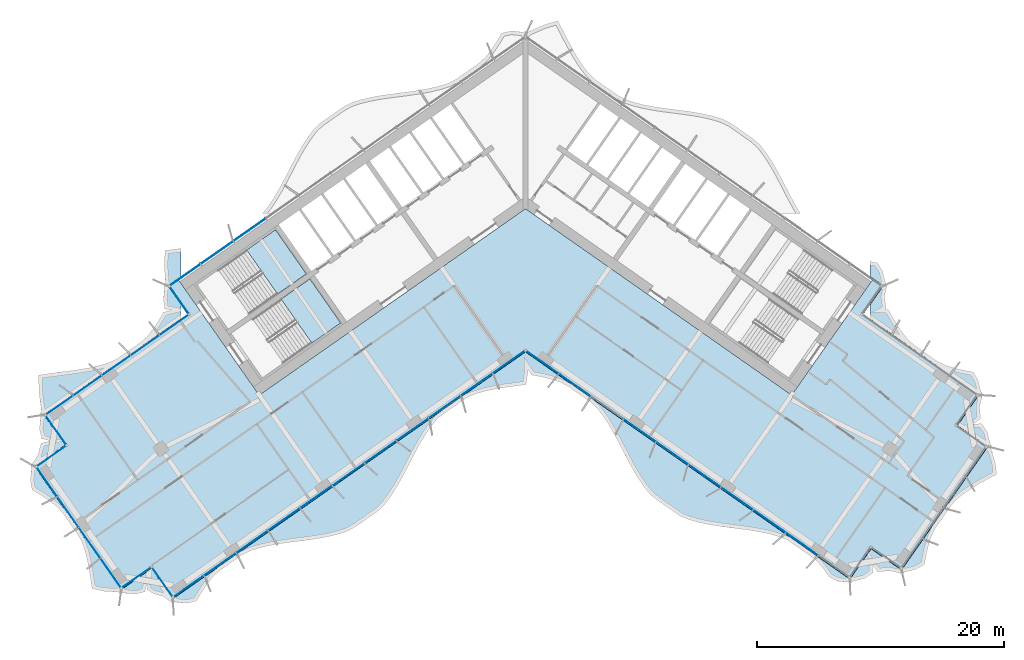
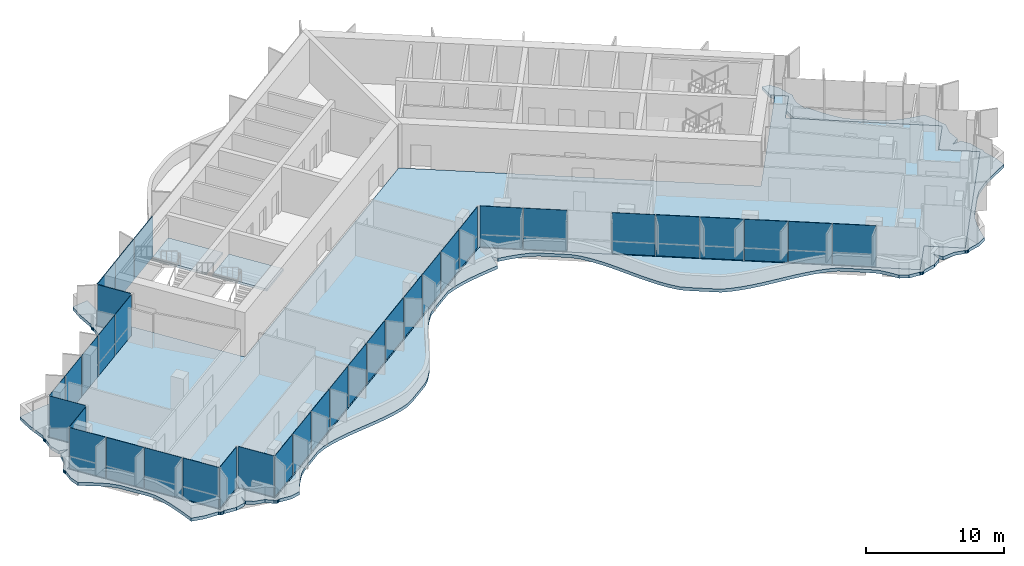
# One storey, part 10 of 21: 36 plates, 4 slabs, 4 elements without a shape of their own.
"""IFC4 building model written with IfcOpenShell, lengths in metres."""

from ifc_helpers import new_model, si_unit, direction, frame, origin, origin_2d, place, context, subcontext, project, spatial, polyline, rectangle, outline, extrude, material, layer, layer_set, type_object, element, aggregate, save


model = new_model("IFC4")

# Units and contexts
model_context = context("Model", 3, precision=1e-05, world=origin(), true_north=direction((0.0, 1.0)))
body_context = subcontext(model_context, "Body", "Model", "MODEL_VIEW")
ifc_project = project(units=[si_unit("LENGTHUNIT", "METRE"), si_unit("AREAUNIT", "SQUARE_METRE"), si_unit("VOLUMEUNIT", "CUBIC_METRE"), si_unit("PLANEANGLEUNIT", "RADIAN"), si_unit("MASSUNIT", "GRAM", prefix="KILO")], contexts=[model_context])

# Site, building, storey
site_placement = place(None, origin())
site = spatial("IfcSite", under=ifc_project, at=site_placement, CompositionType="ELEMENT")
building_placement = place(site_placement, origin())
building = spatial("IfcBuilding", under=site, at=building_placement, Name="Tel Ilan Convention Tower", CompositionType="ELEMENT")
storey_placement = place(building_placement, frame((0.0, 0.0, 147.60009765625)))
storey = spatial("IfcBuildingStorey", under=building, at=storey_placement, Name="L33", CompositionType="ELEMENT", Elevation=147.60009765625)

# Curtain wall, plates
ifc_material_1 = material(Name="Aluminium, bronze anodised", Category="aluminium")
curtain_wall_type_1 = type_object("IfcCurtainWallType", Name="CW4 STICK CURTAIN WALL, OFFICE TINTED GLASS", PredefinedType="NOTDEFINED", material=ifc_material_1)
curtain_wall_1_placement = place(storey_placement, origin())
curtain_wall_1 = element("IfcCurtainWall", 1, at=curtain_wall_1_placement, inside=storey, type_object=curtain_wall_type_1, Name="Curtain wall CW4-27.02", PredefinedType="NOTDEFINED")
ifc_material_2 = material(Name="Glass, bronze tinted, two-ply", Category="glass")
ifc_layer_1 = layer(ifc_material_2, 0.028076171875)
ifc_layer_set_1 = layer_set([ifc_layer_1], Name="CW GLASS PANEL 28")
plate_type_1 = type_object("IfcPlateType", Name="CW GLASS PANEL 28", PredefinedType="CURTAIN_PANEL", material=ifc_layer_set_1)
plate_1_placement = place(storey_placement, frame((-28.44677734375, -10.640625, -0.000244140625), z_axis=(0.0, 0.0, 1.0), x_axis=(-0.819152044289, -0.573576436351, 0.0)))
plate_1 = element("IfcPlate", 2, at=plate_1_placement, type_object=plate_type_1, Name="Glass panel", PredefinedType="CURTAIN_PANEL", context=body_context, shape_type="SweptSolid", body=[
    extrude(rectangle(XDim=2.80908203125, YDim=0.028076171875, at=origin_2d()), origin(), (0.0, 0.0, 1.0), 3.6201171875),
])
plate_2_placement = place(storey_placement, frame((-30.784912109375, -12.278076171875, -0.000244140625), z_axis=(0.0, 0.0, 1.0), x_axis=(-0.819152044289, -0.573576436351, 0.0)))
plate_2 = element("IfcPlate", 3, at=plate_2_placement, type_object=plate_type_1, Name="Glass panel", PredefinedType="CURTAIN_PANEL", context=body_context, shape_type="SweptSolid", body=[
    extrude(rectangle(XDim=2.780029296875, YDim=0.028076171875, at=origin_2d()), origin(), (0.0, 0.0, 1.0), 3.6201171875),
])
plate_3_placement = place(storey_placement, frame((-33.111328125, -13.906982421875, -0.000244140625), z_axis=(0.0, 0.0, 1.0), x_axis=(-0.819152044289, -0.573576436351, 0.0)))
plate_3 = element("IfcPlate", 4, at=plate_3_placement, type_object=plate_type_1, Name="Glass panel", PredefinedType="CURTAIN_PANEL", context=body_context, shape_type="SweptSolid", body=[
    extrude(rectangle(XDim=2.780029296875, YDim=0.028076171875, at=origin_2d()), origin(), (0.0, 0.0, 1.0), 3.6201171875),
])
plate_4_placement = place(storey_placement, frame((-35.437744140625, -15.535888671875, -0.000244140625), z_axis=(0.0, 0.0, 1.0), x_axis=(-0.819152044289, -0.573576436351, 0.0)))
plate_4 = element("IfcPlate", 5, at=plate_4_placement, type_object=plate_type_1, Name="Glass panel", PredefinedType="CURTAIN_PANEL", context=body_context, shape_type="SweptSolid", body=[
    extrude(rectangle(XDim=2.780029296875, YDim=0.028076171875, at=origin_2d()), origin(), (0.0, 0.0, 1.0), 3.6201171875),
])
plate_5_placement = place(storey_placement, frame((-37.7255859375, -17.137939453125, -0.000244140625), z_axis=(0.0, 0.0, 1.0), x_axis=(-0.819152044289, -0.573576436351, 0.0)))
plate_5 = element("IfcPlate", 6, at=plate_5_placement, type_object=plate_type_1, Name="Glass panel", PredefinedType="CURTAIN_PANEL", context=body_context, shape_type="SweptSolid", body=[
    extrude(rectangle(XDim=2.68603515625, YDim=0.028076171875, at=origin_2d()), origin(), (0.0, 0.0, 1.0), 3.6201171875),
])
plate_6_placement = place(storey_placement, frame((-38.007080078125, -19.119140625, -0.000244140625), z_axis=(0.0, 0.0, 1.0), x_axis=(0.573576436351, -0.819152044289, 0.0)))
plate_6 = element("IfcPlate", 7, at=plate_6_placement, type_object=plate_type_1, Name="Glass panel", PredefinedType="CURTAIN_PANEL", context=body_context, shape_type="SweptSolid", body=[
    extrude(rectangle(XDim=2.875, YDim=0.028076171875, at=origin_2d()), origin(), (0.0, 0.0, 1.0), 3.6201171875),
])
plate_7_placement = place(storey_placement, frame((-38.385009765625, -21.261962890625, -0.000244140625), z_axis=(0.0, 0.0, 1.0), x_axis=(-0.819152044289, -0.573576436351, 0.0)))
plate_7 = element("IfcPlate", 8, at=plate_7_placement, type_object=plate_type_1, Name="Glass panel", PredefinedType="CURTAIN_PANEL", context=body_context, shape_type="SweptSolid", body=[
    extrude(rectangle(XDim=2.875, YDim=0.028076171875, at=origin_2d()), origin(), (0.0, 0.0, 1.0), 3.6201171875),
])
plate_8_placement = place(storey_placement, frame((-38.73779296875, -23.305908203125, -0.000244140625), z_axis=(0.0, 0.0, 1.0), x_axis=(0.573576436351, -0.819152044289, 0.0)))
plate_8 = element("IfcPlate", 9, at=plate_8_placement, type_object=plate_type_1, Name="Glass panel", PredefinedType="CURTAIN_PANEL", context=body_context, shape_type="SweptSolid", body=[
    extrude(rectangle(XDim=2.89599609375, YDim=0.028076171875, at=origin_2d()), origin(), (0.0, 0.0, 1.0), 3.6201171875),
])
plate_9_placement = place(storey_placement, frame((-37.015380859375, -25.765869140625, -0.000244140625), z_axis=(0.0, 0.0, 1.0), x_axis=(0.573576436351, -0.819152044289, 0.0)))
plate_9 = element("IfcPlate", 10, at=plate_9_placement, type_object=plate_type_1, Name="Glass panel", PredefinedType="CURTAIN_PANEL", context=body_context, shape_type="SweptSolid", body=[
    extrude(rectangle(XDim=2.989990234375, YDim=0.028076171875, at=origin_2d()), origin(), (0.0, 0.0, 1.0), 3.6201171875),
])
plate_10_placement = place(storey_placement, frame((-35.26611328125, -28.264404296875, -0.000244140625), z_axis=(0.0, 0.0, 1.0), x_axis=(0.573576436351, -0.819152044289, 0.0)))
plate_10 = element("IfcPlate", 11, at=plate_10_placement, type_object=plate_type_1, Name="Glass panel", PredefinedType="CURTAIN_PANEL", context=body_context, shape_type="SweptSolid", body=[
    extrude(rectangle(XDim=2.989990234375, YDim=0.028076171875, at=origin_2d()), origin(), (0.0, 0.0, 1.0), 3.6201171875),
])
plate_11_placement = place(storey_placement, frame((-33.543701171875, -30.72412109375, -0.000244140625), z_axis=(0.0, 0.0, 1.0), x_axis=(0.573576436351, -0.819152044289, 0.0)))
plate_11 = element("IfcPlate", 12, at=plate_11_placement, type_object=plate_type_1, Name="Glass panel", PredefinedType="CURTAIN_PANEL", context=body_context, shape_type="SweptSolid", body=[
    extrude(rectangle(XDim=2.89599609375, YDim=0.028076171875, at=origin_2d()), origin(), (0.0, 0.0, 1.0), 3.6201171875),
])
plate_12_placement = place(storey_placement, frame((-31.502197265625, -31.091796875, -0.000244140625), z_axis=(0.0, 0.0, 1.0), x_axis=(0.819152044289, 0.573576436351, 0.0)))
plate_12 = element("IfcPlate", 13, at=plate_12_placement, type_object=plate_type_1, Name="Glass panel", PredefinedType="CURTAIN_PANEL", context=body_context, shape_type="SweptSolid", body=[
    extrude(rectangle(XDim=2.875, YDim=0.028076171875, at=origin_2d()), origin(), (0.0, 0.0, 1.0), 3.6201171875),
])
plate_13_placement = place(storey_placement, frame((-29.359375, -31.469482421875, -0.000244140625), z_axis=(0.0, 0.0, 1.0), x_axis=(0.573576436351, -0.819152044289, 0.0)))
plate_13 = element("IfcPlate", 14, at=plate_13_placement, type_object=plate_type_1, Name="Glass panel", PredefinedType="CURTAIN_PANEL", context=body_context, shape_type="SweptSolid", body=[
    extrude(rectangle(XDim=2.875, YDim=0.028076171875, at=origin_2d()), origin(), (0.0, 0.0, 1.0), 3.6201171875),
])
plate_14_placement = place(storey_placement, frame((-27.26708984375, -31.78857421875, -0.000244140625), z_axis=(0.0, 0.0, 1.0), x_axis=(0.819152044289, 0.573576436351, 0.0)))
plate_14 = element("IfcPlate", 15, at=plate_14_placement, type_object=plate_type_1, Name="Glass panel", PredefinedType="CURTAIN_PANEL", context=body_context, shape_type="SweptSolid", body=[
    extrude(rectangle(XDim=3.013916015625, YDim=0.028076171875, at=origin_2d()), origin(), (0.0, 0.0, 1.0), 3.6201171875),
])
plate_15_placement = place(storey_placement, frame((-24.71044921875, -29.99853515625, -0.000244140625), z_axis=(0.0, 0.0, 1.0), x_axis=(0.819152044289, 0.573576436351, 0.0)))
plate_15 = element("IfcPlate", 16, at=plate_15_placement, type_object=plate_type_1, Name="Glass panel", PredefinedType="CURTAIN_PANEL", context=body_context, shape_type="SweptSolid", body=[
    extrude(rectangle(XDim=3.10791015625, YDim=0.028076171875, at=origin_2d()), origin(), (0.0, 0.0, 1.0), 3.6201171875),
])
plate_16_placement = place(storey_placement, frame((-22.115478515625, -28.181396484375, -0.000244140625), z_axis=(0.0, 0.0, 1.0), x_axis=(0.819152044289, 0.573576436351, 0.0)))
plate_16 = element("IfcPlate", 17, at=plate_16_placement, type_object=plate_type_1, Name="Glass panel", PredefinedType="CURTAIN_PANEL", context=body_context, shape_type="SweptSolid", body=[
    extrude(rectangle(XDim=3.10791015625, YDim=0.028076171875, at=origin_2d()), origin(), (0.0, 0.0, 1.0), 3.6201171875),
])
plate_17_placement = place(storey_placement, frame((-19.520263671875, -26.3642578125, -0.000244140625), z_axis=(0.0, 0.0, 1.0), x_axis=(0.819152044289, 0.573576436351, 0.0)))
plate_17 = element("IfcPlate", 18, at=plate_17_placement, type_object=plate_type_1, Name="Glass panel", PredefinedType="CURTAIN_PANEL", context=body_context, shape_type="SweptSolid", body=[
    extrude(rectangle(XDim=3.10791015625, YDim=0.028076171875, at=origin_2d()), origin(), (0.0, 0.0, 1.0), 3.6201171875),
])
plate_18_placement = place(storey_placement, frame((-16.92529296875, -24.54736328125, -0.000244140625), z_axis=(0.0, 0.0, 1.0), x_axis=(0.819152044289, 0.573576436351, 0.0)))
plate_18 = element("IfcPlate", 19, at=plate_18_placement, type_object=plate_type_1, Name="Glass panel", PredefinedType="CURTAIN_PANEL", context=body_context, shape_type="SweptSolid", body=[
    extrude(rectangle(XDim=3.10791015625, YDim=0.028076171875, at=origin_2d()), origin(), (0.0, 0.0, 1.0), 3.6201171875),
])
plate_19_placement = place(storey_placement, frame((-14.330078125, -22.730224609375, -0.000244140625), z_axis=(0.0, 0.0, 1.0), x_axis=(0.819152044289, 0.573576436351, 0.0)))
plate_19 = element("IfcPlate", 20, at=plate_19_placement, type_object=plate_type_1, Name="Glass panel", PredefinedType="CURTAIN_PANEL", context=body_context, shape_type="SweptSolid", body=[
    extrude(rectangle(XDim=3.10791015625, YDim=0.028076171875, at=origin_2d()), origin(), (0.0, 0.0, 1.0), 3.6201171875),
])
plate_20_placement = place(storey_placement, frame((-11.735107421875, -20.9130859375, -0.000244140625), z_axis=(0.0, 0.0, 1.0), x_axis=(0.819152044289, 0.573576436351, 0.0)))
plate_20 = element("IfcPlate", 21, at=plate_20_placement, type_object=plate_type_1, Name="Glass panel", PredefinedType="CURTAIN_PANEL", context=body_context, shape_type="SweptSolid", body=[
    extrude(rectangle(XDim=3.10791015625, YDim=0.028076171875, at=origin_2d()), origin(), (0.0, 0.0, 1.0), 3.6201171875),
])
plate_21_placement = place(storey_placement, frame((-9.14013671875, -19.095947265625, -0.000244140625), z_axis=(0.0, 0.0, 1.0), x_axis=(0.819152044289, 0.573576436351, 0.0)))
plate_21 = element("IfcPlate", 22, at=plate_21_placement, type_object=plate_type_1, Name="Glass panel", PredefinedType="CURTAIN_PANEL", context=body_context, shape_type="SweptSolid", body=[
    extrude(rectangle(XDim=3.10791015625, YDim=0.028076171875, at=origin_2d()), origin(), (0.0, 0.0, 1.0), 3.6201171875),
])
plate_22_placement = place(storey_placement, frame((-6.544921875, -17.27880859375, -0.000244140625), z_axis=(0.0, 0.0, 1.0), x_axis=(0.819152044289, 0.573576436351, 0.0)))
plate_22 = element("IfcPlate", 23, at=plate_22_placement, type_object=plate_type_1, Name="Glass panel", PredefinedType="CURTAIN_PANEL", context=body_context, shape_type="SweptSolid", body=[
    extrude(rectangle(XDim=3.10791015625, YDim=0.028076171875, at=origin_2d()), origin(), (0.0, 0.0, 1.0), 3.6201171875),
])
plate_23_placement = place(storey_placement, frame((-3.949951171875, -15.4619140625, -0.000244140625), z_axis=(0.0, 0.0, 1.0), x_axis=(0.819152044289, 0.573576436351, 0.0)))
plate_23 = element("IfcPlate", 24, at=plate_23_placement, type_object=plate_type_1, Name="Glass panel", PredefinedType="CURTAIN_PANEL", context=body_context, shape_type="SweptSolid", body=[
    extrude(rectangle(XDim=3.10791015625, YDim=0.028076171875, at=origin_2d()), origin(), (0.0, 0.0, 1.0), 3.6201171875),
])
plate_24_placement = place(storey_placement, frame((-1.355224609375, -13.64501953125, -0.000244140625), z_axis=(0.0, 0.0, 1.0), x_axis=(0.819152044289, 0.573576436351, 0.0)))
plate_24 = element("IfcPlate", 25, at=plate_24_placement, type_object=plate_type_1, Name="Glass panel", PredefinedType="CURTAIN_PANEL", context=body_context, shape_type="SweptSolid", body=[
    extrude(rectangle(XDim=3.10693359375, YDim=0.028076171875, at=origin_2d()), origin(), (0.0, 0.0, 1.0), 3.6201171875),
])
plate_25_placement = place(storey_placement, frame((1.3818359375, -13.66357421875, -0.000244140625), z_axis=(0.0, 0.0, 1.0), x_axis=(0.819152044289, -0.573576436351, 0.0)))
plate_25 = element("IfcPlate", 26, at=plate_25_placement, type_object=plate_type_1, Name="Glass panel", PredefinedType="CURTAIN_PANEL", context=body_context, shape_type="SweptSolid", body=[
    extrude(rectangle(XDim=3.11572265625, YDim=0.028076171875, at=origin_2d()), origin(), (0.0, 0.0, 1.0), 3.6201171875),
])
plate_26_placement = place(storey_placement, frame((3.9951171875, -15.493408203125, -0.000244140625), z_axis=(0.0, 0.0, 1.0), x_axis=(0.819152044289, -0.573576436351, 0.0)))
plate_26 = element("IfcPlate", 27, at=plate_26_placement, type_object=plate_type_1, Name="Glass panel", PredefinedType="CURTAIN_PANEL", context=body_context, shape_type="SweptSolid", body=[
    extrude(rectangle(XDim=3.144775390625, YDim=0.028076171875, at=origin_2d()), origin(), (0.0, 0.0, 1.0), 3.6201171875),
])
plate_27_placement = place(storey_placement, frame((9.24560546875, -19.169921875, -0.000244140625), z_axis=(0.0, 0.0, 1.0), x_axis=(0.819152044289, -0.573576436351, 0.0)))
plate_27 = element("IfcPlate", 28, at=plate_27_placement, type_object=plate_type_1, Name="Glass panel", PredefinedType="CURTAIN_PANEL", context=body_context, shape_type="SweptSolid", body=[
    extrude(rectangle(XDim=3.144775390625, YDim=0.028076171875, at=origin_2d()), origin(), (0.0, 0.0, 1.0), 3.6201171875),
])
plate_28_placement = place(storey_placement, frame((11.870849609375, -21.008056640625, -0.000244140625), z_axis=(0.0, 0.0, 1.0), x_axis=(0.819152044289, -0.573576436351, 0.0)))
plate_28 = element("IfcPlate", 29, at=plate_28_placement, type_object=plate_type_1, Name="Glass panel", PredefinedType="CURTAIN_PANEL", context=body_context, shape_type="SweptSolid", body=[
    extrude(rectangle(XDim=3.144775390625, YDim=0.028076171875, at=origin_2d()), origin(), (0.0, 0.0, 1.0), 3.6201171875),
])
plate_29_placement = place(storey_placement, frame((14.49609375, -22.84619140625, -0.000244140625), z_axis=(0.0, 0.0, 1.0), x_axis=(0.819152044289, -0.573576436351, 0.0)))
plate_29 = element("IfcPlate", 30, at=plate_29_placement, type_object=plate_type_1, Name="Glass panel", PredefinedType="CURTAIN_PANEL", context=body_context, shape_type="SweptSolid", body=[
    extrude(rectangle(XDim=3.144775390625, YDim=0.028076171875, at=origin_2d()), origin(), (0.0, 0.0, 1.0), 3.6201171875),
])
plate_30_placement = place(storey_placement, frame((17.12109375, -24.684326171875, -0.000244140625), z_axis=(0.0, 0.0, 1.0), x_axis=(0.819152044289, -0.573576436351, 0.0)))
plate_30 = element("IfcPlate", 31, at=plate_30_placement, type_object=plate_type_1, Name="Glass panel", PredefinedType="CURTAIN_PANEL", context=body_context, shape_type="SweptSolid", body=[
    extrude(rectangle(XDim=3.144775390625, YDim=0.028076171875, at=origin_2d()), origin(), (0.0, 0.0, 1.0), 3.6201171875),
])
plate_31_placement = place(storey_placement, frame((19.746337890625, -26.522705078125, -0.000244140625), z_axis=(0.0, 0.0, 1.0), x_axis=(0.819152044289, -0.573576436351, 0.0)))
plate_31 = element("IfcPlate", 32, at=plate_31_placement, type_object=plate_type_1, Name="Glass panel", PredefinedType="CURTAIN_PANEL", context=body_context, shape_type="SweptSolid", body=[
    extrude(rectangle(XDim=3.144775390625, YDim=0.028076171875, at=origin_2d()), origin(), (0.0, 0.0, 1.0), 3.6201171875),
])
plate_32_placement = place(storey_placement, frame((22.37158203125, -28.36083984375, -0.000244140625), z_axis=(0.0, 0.0, 1.0), x_axis=(0.819152044289, -0.573576436351, 0.0)))
plate_32 = element("IfcPlate", 33, at=plate_32_placement, type_object=plate_type_1, Name="Glass panel", PredefinedType="CURTAIN_PANEL", context=body_context, shape_type="SweptSolid", body=[
    extrude(rectangle(XDim=3.144775390625, YDim=0.028076171875, at=origin_2d()), origin(), (0.0, 0.0, 1.0), 3.6201171875),
])
aggregate(curtain_wall_1, [plate_1, plate_2, plate_3, plate_4, plate_5, plate_6, plate_7, plate_8, plate_9, plate_10, plate_11, plate_12, plate_13, plate_14, plate_15, plate_16, plate_17, plate_18, plate_19, plate_20, plate_21, plate_22, plate_23, plate_24, plate_25, plate_26, plate_27, plate_28, plate_29, plate_30, plate_31, plate_32])

ifc_material_3 = material(Name="Aluminium, bronze anodised", Category="aluminium")
curtain_wall_type_2 = type_object("IfcCurtainWallType", Name="CW2 STICK CURTAIN WALL, SPANDREL PANELS", PredefinedType="NOTDEFINED", material=ifc_material_3)
curtain_wall_2_placement = place(storey_placement, origin())
curtain_wall_2 = element("IfcCurtainWall", 34, at=curtain_wall_2_placement, inside=storey, type_object=curtain_wall_type_2, Name="Curtain wall CW2-27.01", PredefinedType="NOTDEFINED")
ifc_material_4 = material(Name="Aluminium composite panel, bronze anodised", Category="aluminium")
ifc_layer_2 = layer(ifc_material_4, 0.06005859375)
ifc_layer_set_2 = layer_set([ifc_layer_2], Name="CW SPANDREL PANEL 60")
plate_type_2 = type_object("IfcPlateType", Name="CW SPANDREL PANEL 60", PredefinedType="CURTAIN_PANEL", material=ifc_layer_set_2)
plate_33_placement = place(storey_placement, frame((-22.31982421875, -2.9326171875, -0.000244140625), z_axis=(0.0, 0.0, 1.0), x_axis=(-0.819152044289, -0.573576436351, 0.0)))
plate_33 = element("IfcPlate", 35, at=plate_33_placement, type_object=plate_type_2, Name="Spandrel panel", PredefinedType="CURTAIN_PANEL", context=body_context, shape_type="SweptSolid", body=[
    extrude(rectangle(XDim=3.15380859375, YDim=0.06005859375, at=origin_2d()), origin(), (0.0, 0.0, 1.0), 3.6201171875),
])
plate_34_placement = place(storey_placement, frame((-24.95263671875, -4.77587890625, -0.000244140625), z_axis=(0.0, 0.0, 1.0), x_axis=(-0.819152044289, -0.573576436351, 0.0)))
plate_34 = element("IfcPlate", 36, at=plate_34_placement, type_object=plate_type_2, Name="Spandrel panel", PredefinedType="CURTAIN_PANEL", context=body_context, shape_type="SweptSolid", body=[
    extrude(rectangle(XDim=3.15380859375, YDim=0.06005859375, at=origin_2d()), origin(), (0.0, 0.0, 1.0), 3.6201171875),
])
plate_35_placement = place(storey_placement, frame((-27.5400390625, -6.587646484375, -0.000244140625), z_axis=(0.0, 0.0, 1.0), x_axis=(-0.819152044289, -0.573576436351, 0.0)))
plate_35 = element("IfcPlate", 37, at=plate_35_placement, type_object=plate_type_2, Name="Spandrel panel", PredefinedType="CURTAIN_PANEL", context=body_context, shape_type="SweptSolid", body=[
    extrude(rectangle(XDim=3.0439453125, YDim=0.06005859375, at=origin_2d()), origin(), (0.0, 0.0, 1.0), 3.6201171875),
])
plate_36_placement = place(storey_placement, frame((-28.033935546875, -8.60546875, -0.000244140625), z_axis=(0.0, 0.0, 1.0), x_axis=(0.573576436351, -0.819152044289, 0.0)))
plate_36 = element("IfcPlate", 38, at=plate_36_placement, type_object=plate_type_2, Name="Spandrel panel", PredefinedType="CURTAIN_PANEL", context=body_context, shape_type="SweptSolid", body=[
    extrude(rectangle(XDim=2.658935546875, YDim=0.06005859375, at=origin_2d()), origin(), (0.0, 0.0, 1.0), 3.6201171875),
])
aggregate(curtain_wall_2, [plate_33, plate_34, plate_35, plate_36])

# Stair, slab
ifc_material_5 = material(Name="Concrete C40/50", Category="concrete")
stair_type = type_object("IfcStairType", Name="Pressurised Exit Stair 22 risers 177 mm", PredefinedType="HALF_TURN_STAIR", material=ifc_material_5)
stair_1_placement = place(storey_placement, origin())
stair_1 = element("IfcStair", 39, at=stair_1_placement, inside=storey, type_object=stair_type, Name="L33 Pressurised Stair S1", PredefinedType="HALF_TURN_STAIR")
ifc_material_6 = material(Name="Concrete C40/50", Category="concrete")
ifc_layer_3 = layer(ifc_material_6, 0.199951171875)
ifc_layer_set_3 = layer_set([ifc_layer_3], Name="Concrete Stair Landing 200 mm C40/50")
slab_type_1 = type_object("IfcSlabType", Name="Concrete Stair Landing 200 mm", PredefinedType="LANDING", material=ifc_layer_set_3)
slab_1_placement = place(storey_placement, frame((0.0, 0.0, 1.75)))
slab_1 = element("IfcSlab", 40, at=slab_1_placement, type_object=slab_type_1, Name="S1 landing 1", PredefinedType="LANDING", context=body_context, shape_type="SweptSolid", body=[
    extrude(outline(polyline([(-20.066650390625, -8.130126953125), (-17.7314453125, -6.494873046875), (-20.226318359375, -2.931640625), (-22.561767578125, -4.566650390625), (-20.066650390625, -8.130126953125)])), origin(), (0.0, 0.0, 1.0), 0.199951171875),
])
aggregate(stair_1, [slab_1])

stair_2_placement = place(storey_placement, origin())
stair_2 = element("IfcStair", 41, at=stair_2_placement, inside=storey, type_object=stair_type, Name="L33 Pressurised Stair S2", PredefinedType="HALF_TURN_STAIR")
slab_2_placement = place(storey_placement, frame((0.0, 0.0, 1.75)))
slab_2 = element("IfcSlab", 42, at=slab_2_placement, type_object=slab_type_1, Name="S2 landing 1", PredefinedType="LANDING", context=body_context, shape_type="SweptSolid", body=[
    extrude(outline(polyline([(-17.28466796875, -12.10302734375), (-14.949462890625, -10.4677734375), (-17.444580078125, -6.904541015625), (-19.77978515625, -8.53955078125), (-17.28466796875, -12.10302734375)])), origin(), (0.0, 0.0, 1.0), 0.199951171875),
])
aggregate(stair_2, [slab_2])

# Slabs
ifc_material_7 = material(Name="Concrete C40/50", Category="concrete")
ifc_layer_4 = layer(ifc_material_7, 0.280029296875)
ifc_layer_set_4 = layer_set([ifc_layer_4], Name="Edge Ledge Slab 280 mm C40/50")
slab_type_2 = type_object("IfcSlabType", Name="Edge Ledge Slab 280 mm C40/50", PredefinedType="FLOOR", material=ifc_layer_set_4)
slab_3_placement = place(storey_placement, frame((0.0, 0.0, -0.280029296875)))
element("IfcSlab", 43, at=slab_3_placement, inside=storey, type_object=slab_type_2, Name="L33 edge ledge 1", PredefinedType="FLOOR", context=body_context, shape_type="SweptSolid", body=[
    extrude(outline(polyline([(-31.562744140625, -32.420166015625), (-32.5517578125, -32.31494140625), (-32.554931640625, -32.310302734375), (-32.60888671875, -32.346435546875), (-32.723876953125, -32.369384765625), (-32.838623046875, -32.346435546875), (-32.93603515625, -32.281494140625), (-32.96484375, -32.238037109375), (-32.969482421875, -32.241455078125), (-34.1298828125, -32.177734375), (-35.07666015625, -31.964599609375), (-35.189697265625, -31.16748046875), (-35.312744140625, -30.377685546875), (-35.46484375, -29.608154296875), (-35.656982421875, -28.86669921875), (-35.8984375, -28.15966796875), (-36.2626953125, -27.53857421875), (-37.49755859375, -25.77490234375), (-38.006591796875, -25.25537109375), (-38.60546875, -24.798583984375), (-39.250732421875, -24.374267578125), (-39.92822265625, -23.97265625), (-40.0625, -23.190673828125), (-39.96728515625, -22.247802734375), (-39.962646484375, -22.244384765625), (-39.99853515625, -22.1904296875), (-40.021484375, -22.07568359375), (-39.99853515625, -21.960693359375), (-39.93359375, -21.863525390625), (-39.890380859375, -21.834716796875), (-39.8935546875, -21.829833984375), (-39.44873046875, -21.157470703125), (-39.19921875, -20.20654296875), (-38.452392578125, -20.01123046875), (-39.13330078125, -19.83251953125), (-39.33544921875, -19.05859375), (-39.23046875, -18.069580078125), (-39.225830078125, -18.06640625), (-39.261962890625, -18.01220703125), (-39.284912109375, -17.8974609375), (-39.261962890625, -17.78271484375), (-39.197021484375, -17.685302734375), (-39.153564453125, -17.656494140625), (-39.15673828125, -17.651611328125), (-39.369873046875, -16.044677734375), (-39.404052734375, -14.692626953125), (-38.58203125, -14.563720703125), (-37.746826171875, -14.453369140625), (-36.90869140625, -14.34716796875), (-36.078125, -14.23046875), (-35.2646484375, -14.089111328125), (-34.477783203125, -13.91015625), (-33.72509765625, -13.68212890625), (-33.03466796875, -13.364990234375), (-31.197998046875, -12.0791015625), (-30.631591796875, -11.585205078125), (-30.14892578125, -10.971435546875), (-29.70263671875, -10.305908203125), (-29.284912109375, -9.59912109375), (-28.654296875, -9.439208984375), (-29.194091796875, -9.332763671875), (-29.29443359375, -8.548583984375), (-29.20458984375, -7.631103515625), (-29.199951171875, -7.6279296875), (-29.236083984375, -7.57373046875), (-29.2587890625, -7.458984375), (-29.236083984375, -7.34423828125), (-29.1708984375, -7.246826171875), (-29.127685546875, -7.218017578125), (-29.130859375, -7.21337890625), (-29.231689453125, -5.78515625), (-29.161865234375, -4.60107421875), (-28.33935546875, -4.49169921875), (-27.875, -4.4326171875), (-27.875, -6.7001953125), (-28.958740234375, -7.458984375), (-27.875, -9.007080078125), (-27.875, -10.1181640625), (-27.882568359375, -10.12353515625), (-38.74365234375, -17.728515625), (-38.98486328125, -17.8974609375), (-37.263916015625, -20.35498046875), (-38.2880859375, -21.072021484375), (-39.48046875, -21.90673828125), (-39.721435546875, -22.07568359375), (-32.723876953125, -32.0693359375), (-30.266357421875, -30.3486328125), (-29.57861328125, -31.3310546875), (-29.53759765625, -31.38916015625), (-28.714599609375, -32.56494140625), (-28.545654296875, -32.805908203125), (0.0, -12.818115234375), (26.251953125, -31.199951171875), (27.972900390625, -28.74267578125), (30.43017578125, -30.46337890625), (37.427978515625, -20.469482421875), (37.186767578125, -20.30078125), (36.19921875, -19.609375), (34.970458984375, -18.748779296875), (36.691162109375, -16.29150390625), (36.449951171875, -16.12255859375), (31.117919921875, -12.38916015625), (27.875, -10.1181640625), (27.875, -9.007080078125), (28.958740234375, -7.458984375), (27.875, -6.7001953125), (27.875, -5.485595703125), (28.465576171875, -5.595458984375), (28.894287109375, -6.267333984375), (29.130859375, -7.21337890625), (29.127685546875, -7.218017578125), (29.1708984375, -7.246826171875), (29.236083984375, -7.34423828125), (29.2587890625, -7.458984375), (29.236083984375, -7.57373046875), (29.199951171875, -7.6279296875), (29.20458984375, -7.631103515625), (29.044921875, -8.373779296875), (29.194091796875, -9.332763671875), (29.132080078125, -9.36474609375), (29.356201171875, -9.3759765625), (29.74560546875, -10.06201171875), (30.151123046875, -10.72509765625), (30.5849609375, -11.347900390625), (31.052978515625, -11.92138671875), (31.6103515625, -12.36767578125), (33.361328125, -13.59375), (34.017333984375, -13.899169921875), (34.732421875, -14.1201171875), (35.47900390625, -14.2958984375), (36.246826171875, -14.44140625), (36.63134765625, -15.134521484375), (36.86328125, -16.045654296875), (36.85986328125, -16.05029296875), (36.9033203125, -16.079345703125), (36.96826171875, -16.176513671875), (36.9912109375, -16.29150390625), (36.96826171875, -16.40625), (36.93212890625, -16.460205078125), (36.93701171875, -16.46337890625), (36.748779296875, -17.24755859375), (36.839599609375, -18.2265625), (36.20458984375, -18.665283203125), (36.905517578125, -18.6005859375), (37.3603515625, -19.258544921875), (37.599853515625, -20.223876953125), (37.5966796875, -20.228515625), (37.639892578125, -20.257568359375), (37.705078125, -20.354736328125), (37.727783203125, -20.469482421875), (37.705078125, -20.58447265625), (37.6689453125, -20.638427734375), (37.673583984375, -20.6416015625), (38.010498046875, -21.753662109375), (38.13427734375, -22.71630859375), (37.423828125, -23.09521484375), (36.7236328125, -23.48095703125), (36.052734375, -23.88720703125), (35.421630859375, -24.3212890625), (34.83984375, -24.7900390625), (34.380615234375, -25.344482421875), (33.145751953125, -27.108154296875), (32.83154296875, -27.764404296875), (32.607177734375, -28.4833984375), (32.42919921875, -29.234619140625), (32.28369140625, -30.0087890625), (31.594482421875, -30.402587890625), (30.676025390625, -30.635498046875), (30.67138671875, -30.632080078125), (30.642333984375, -30.67529296875), (30.544921875, -30.740478515625), (30.43017578125, -30.76318359375), (30.3154296875, -30.740478515625), (30.261474609375, -30.704345703125), (30.25830078125, -30.708984375), (29.47412109375, -30.52099609375), (28.4951171875, -30.61181640625), (28.056396484375, -29.976806640625), (28.12109375, -30.677490234375), (27.463134765625, -31.132568359375), (26.497802734375, -31.3720703125), (26.4931640625, -31.368896484375), (26.464111328125, -31.412109375), (26.36669921875, -31.477294921875), (26.251953125, -31.5), (26.13720703125, -31.477294921875), (26.083251953125, -31.441162109375), (26.080078125, -31.44580078125), (25.2314453125, -31.358154296875), (24.565673828125, -31.009765625), (24.111328125, -30.35888671875), (23.619384765625, -29.76220703125), (23.02734375, -29.308349609375), (21.19580078125, -28.02587890625), (20.475830078125, -27.7548828125), (19.716064453125, -27.540283203125), (18.924072265625, -27.372314453125), (18.10791015625, -27.23828125), (17.27685546875, -27.1259765625), (16.44091796875, -27.0205078125), (15.610107421875, -26.9072265625), (14.794677734375, -26.7724609375), (14.003662109375, -26.602783203125), (13.245361328125, -26.386474609375), (12.530029296875, -26.108642578125), (10.698486328125, -24.826171875), (10.110107421875, -24.3671875), (9.61962890625, -23.768310546875), (9.166748046875, -23.115478515625), (8.744384765625, -22.41943359375), (8.343994140625, -21.69189453125), (7.956298828125, -20.9462890625), (7.57080078125, -20.197509765625), (7.177490234375, -19.45947265625), (6.76708984375, -18.74658203125), (6.329833984375, -18.071533203125), (5.8583984375, -17.445556640625), (5.322509765625, -16.9111328125), (3.490966796875, -15.62890625), (2.833251953125, -15.268798828125), (2.093017578125, -15.0263671875), (1.31689453125, -14.835693359375), (0.51220703125, -14.685546875), (0.201416015625, -14.22314453125), (0.2060546875, -14.40478515625), (0.04248046875, -15.464111328125), (-0.788818359375, -15.569580078125), (-1.615234375, -15.681884765625), (-2.427001953125, -15.815185546875), (-3.214599609375, -15.983154296875), (-3.97021484375, -16.19677734375), (-4.686767578125, -16.466064453125), (-6.5087890625, -17.741943359375), (-7.10009765625, -18.190185546875), (-7.59033203125, -18.782470703125), (-8.043212890625, -19.428466796875), (-8.46533203125, -20.118408203125), (-8.864990234375, -20.840087890625), (-9.25146484375, -21.580810546875), (-9.634765625, -22.326416015625), (-10.024658203125, -23.06201171875), (-10.43115234375, -23.7744140625), (-10.86279296875, -24.4501953125), (-11.327880859375, -25.078857421875), (-11.846923828125, -25.63037109375), (-13.6689453125, -26.906005859375), (-14.308837890625, -27.284912109375), (-15.039794921875, -27.53369140625), (-15.80712890625, -27.73046875), (-16.60400390625, -27.885009765625), (-17.421875, -28.009765625), (-18.251220703125, -28.117919921875), (-19.08251953125, -28.2236328125), (-19.905029296875, -28.34130859375), (-20.7099609375, -28.484619140625), (-21.48779296875, -28.666259765625), (-22.2314453125, -28.897216796875), (-22.907470703125, -29.224365234375), (-24.7294921875, -30.5), (-25.286865234375, -30.996826171875), (-25.76416015625, -31.607666015625), (-26.2060546875, -32.269287109375), (-26.6201171875, -32.970703125), (-27.396484375, -33.154296875), (-28.37353515625, -33.0517578125), (-28.376953125, -33.047119140625), (-28.430908203125, -33.083251953125), (-28.545654296875, -33.10595703125), (-28.660400390625, -33.083251953125), (-28.7578125, -33.018310546875), (-28.78662109375, -32.974853515625), (-28.79150390625, -32.97802734375), (-29.2880859375, -32.593505859375), (-30.059814453125, -32.4013671875), (-30.615234375, -32.057861328125), (-30.573974609375, -31.399658203125), (-30.788818359375, -32.2177734375), (-31.562744140625, -32.420166015625)])), origin(), (0.0, 0.0, 1.0), 0.280029296875),
])
ifc_material_8 = material(Name="Concrete C40/50", Category="concrete")
ifc_layer_5 = layer(ifc_material_8, 0.280029296875)
ifc_layer_set_5 = layer_set([ifc_layer_5], Name="Flat Plate Floor Slab 280 mm C40/50")
slab_type_3 = type_object("IfcSlabType", Name="Flat Plate Floor Slab 280 mm C40/50", PredefinedType="FLOOR", material=ifc_layer_set_5)
slab_4_placement = place(storey_placement, frame((0.0, 0.0, -0.280029296875)))
element("IfcSlab", 44, at=slab_4_placement, inside=storey, type_object=slab_type_3, Name="L33 floor slab", PredefinedType="FLOOR", context=body_context, shape_type="SweptSolid", body=[
    extrude(outline(polyline([(37.186767578125, -20.30078125), (37.427978515625, -20.469482421875), (30.43017578125, -30.46337890625), (27.972900390625, -28.74267578125), (26.251953125, -31.199951171875), (0.0, -12.818115234375), (-28.545654296875, -32.805908203125), (-28.714599609375, -32.56494140625), (-29.57861328125, -31.3310546875), (-30.266357421875, -30.3486328125), (-32.723876953125, -32.0693359375), (-39.721435546875, -22.07568359375), (-39.48046875, -21.90673828125), (-38.448486328125, -21.18408203125), (-38.2880859375, -21.072021484375), (-37.263916015625, -20.35498046875), (-38.98486328125, -17.8974609375), (-38.74365234375, -17.728515625), (-27.598388671875, -9.9248046875), (-27.352783203125, -9.752685546875), (-28.958740234375, -7.458984375), (-28.1396484375, -6.885498046875), (-21.54345703125, -16.3056640625), (0.0, -1.220703125), (21.54345703125, -16.3056640625), (28.1396484375, -6.885498046875), (28.958740234375, -7.458984375), (27.352783203125, -9.752685546875), (27.627197265625, -9.944580078125), (36.449951171875, -16.12255859375), (36.691162109375, -16.29150390625), (34.970458984375, -18.748779296875), (36.19921875, -19.609375), (36.3935546875, -19.745361328125), (37.186767578125, -20.30078125)])), origin(), (0.0, 0.0, 1.0), 0.280029296875),
])

save(model, "model.ifc")
